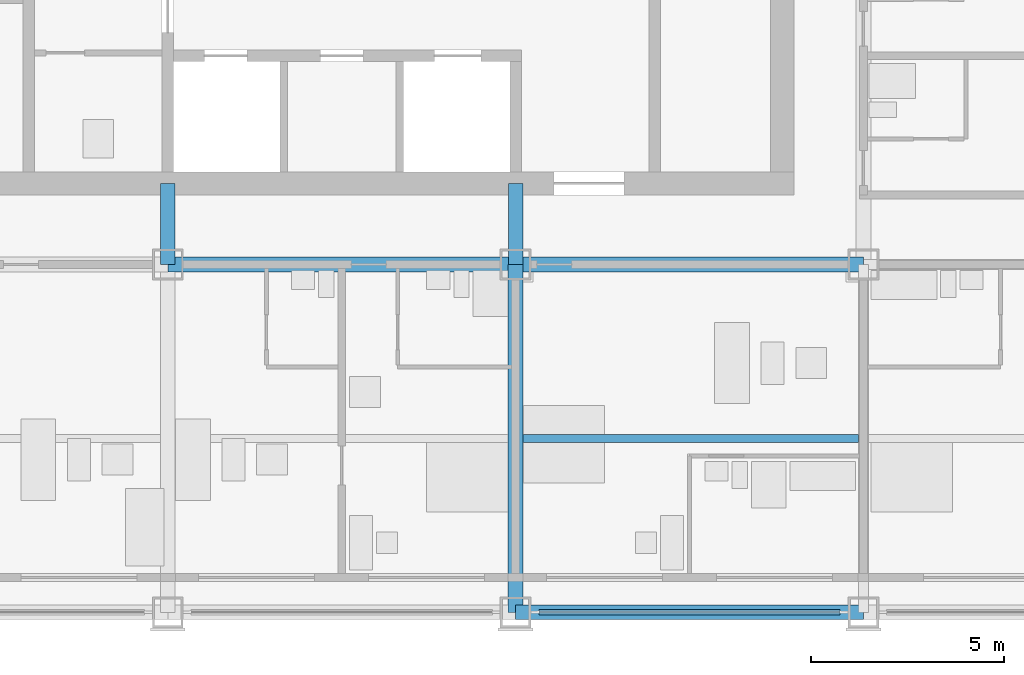
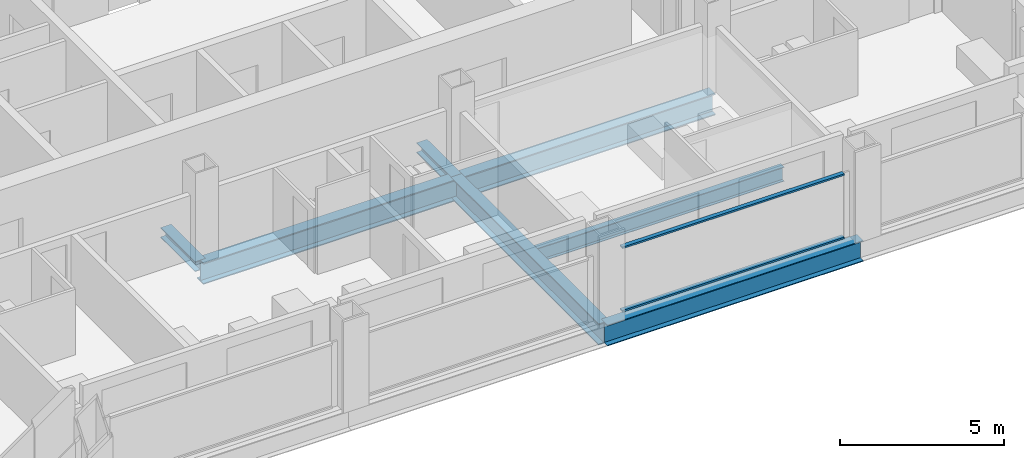
# One storey, part 3 of 13: 5 beams, 4 members, 1 element without a shape of its own.
"""IFC4 building model written with IfcOpenShell, lengths in metres."""

from ifc_helpers import new_model, si_unit, direction, frame, origin, origin_2d, place, context, subcontext, project, spatial, rectangle, i_section, extrude, material, material_profile, profile_set, type_object, element, aggregate, save


model = new_model("IFC4")

# Units and contexts
model_context = context("Model", 3, precision=1e-05, world=origin(), true_north=direction((0.0, 1.0)))
body_context = subcontext(model_context, "Body", "Model", "MODEL_VIEW")
ifc_project = project(units=[si_unit("LENGTHUNIT", "METRE"), si_unit("AREAUNIT", "SQUARE_METRE"), si_unit("VOLUMEUNIT", "CUBIC_METRE"), si_unit("PLANEANGLEUNIT", "RADIAN"), si_unit("MASSUNIT", "GRAM", prefix="KILO")], contexts=[model_context])

# Site, building, storey
site_placement = place(None, origin())
site = spatial("IfcSite", under=ifc_project, at=site_placement, CompositionType="ELEMENT")
building_placement = place(site_placement, origin())
building = spatial("IfcBuilding", under=site, at=building_placement, Name="Loomwork Tower", CompositionType="ELEMENT")
storey_placement = place(building_placement, frame((0.0, 0.0, 194.39990234375)))
storey = spatial("IfcBuildingStorey", under=building, at=storey_placement, Name="L53", CompositionType="ELEMENT", Elevation=194.39990234375)

# Beams
ifc_material_1 = material(Name="Steel ASTM A992", Category="steel")
ifc_material_profile_1 = material_profile(ifc_material_1, i_section(OverallWidth=0.383544921875, OverallDepth=0.794921875, WebThickness=0.02099609375, FlangeThickness=0.0380859375, at=origin_2d()), Name="W30x235")
ifc_profile_set_1 = profile_set([ifc_material_profile_1], Name="Steel ASTM A992")
beam_type_1 = type_object("IfcBeamType", Name="CORE FLANK GIRDER W30x235", PredefinedType="BEAM", material=ifc_profile_set_1)
for number, where, z_axis, x_axis, name in (
    (1, (18.0, 9.0, -0.597412109375), (1.0, 0.0, 0.0), (0.0, 1.0, 0.0), "Core Flank Girder E/4-E/5 L53"),
    (2, (27.0, 9.0, -0.597412109375), (1.0, 0.0, 0.0), (0.0, 1.0, 0.0), "Core Flank Girder E/5-E/6 L53"),
    (3, (27.0, 0.0, -0.597412109375), (0.0, 1.0, 0.0), (-1.0, 0.0, 0.0), "Core Flank Girder D/5-E/5 L53"),
):
    element("IfcBeam", number, at=place(storey_placement, frame(where, z_axis=z_axis, x_axis=x_axis)), inside=storey, type_object=beam_type_1, Name=name, PredefinedType="BEAM", context=body_context, shape_type="SweptSolid", body=[
        extrude(i_section(OverallWidth=0.383544921875, OverallDepth=0.794921875, WebThickness=0.02099609375, FlangeThickness=0.0380859375, at=origin_2d()), origin(), (0.0, 0.0, 1.0), 9.0),
    ])

# Members
ifc_material_2 = material(Name="Steel ASTM A992", Category="steel")
ifc_material_profile_2 = material_profile(ifc_material_2, i_section(OverallWidth=0.373291015625, OverallDepth=0.373291015625, WebThickness=0.016357421875, FlangeThickness=0.026123046875, at=origin_2d()), Name="W14x132")
ifc_profile_set_2 = profile_set([ifc_material_profile_2], Name="Steel ASTM A992")
member_type_1 = type_object("IfcMemberType", Name="CORE LINK STRUT W14x132", PredefinedType="STRUT", material=ifc_profile_set_2)
for number, where, z_axis, x_axis, name in (
    (4, (27.0, 9.0, -0.386474609375), (0.0, 1.0, 0.0), (-1.0, 0.0, 0.0), "Core link strut E/5-27.000,11.100 L53"),
    (5, (18.0, 9.0, -0.386474609375), (0.0, 1.0, 0.0), (-1.0, 0.0, 0.0), "Core link strut E/4-18.000,11.100 L53"),
):
    element("IfcMember", number, at=place(storey_placement, frame(where, z_axis=z_axis, x_axis=x_axis)), inside=storey, type_object=member_type_1, Name=name, PredefinedType="STRUT", context=body_context, shape_type="SweptSolid", body=[
        extrude(i_section(OverallWidth=0.373291015625, OverallDepth=0.373291015625, WebThickness=0.016357421875, FlangeThickness=0.026123046875, at=origin_2d()), origin(), (0.0, 0.0, 1.0), 2.10009765625),
    ])

# Beam
ifc_material_3 = material(Name="Steel ASTM A992", Category="steel")
ifc_material_profile_3 = material_profile(ifc_material_3, i_section(OverallWidth=0.2109375, OverallDepth=0.53857421875, WebThickness=0.011474609375, FlangeThickness=0.018798828125, at=origin_2d()), Name="W21x73")
ifc_profile_set_3 = profile_set([ifc_material_profile_3], Name="Steel ASTM A992")
beam_type_2 = type_object("IfcBeamType", Name="FLOOR JOIST W21x73", PredefinedType="JOIST", material=ifc_profile_set_3)
beam_1_placement = place(storey_placement, frame((27.19091796875, 4.5, -0.46923828125), z_axis=(1.0, 0.0, 0.0), x_axis=(0.0, 1.0, 0.0)))
element("IfcBeam", 6, at=beam_1_placement, inside=storey, type_object=beam_type_2, Name="Floor Joist 27.000,4.500-36.000,4.500 L53", PredefinedType="JOIST", context=body_context, shape_type="SweptSolid", body=[
    extrude(i_section(OverallWidth=0.2109375, OverallDepth=0.53857421875, WebThickness=0.011474609375, FlangeThickness=0.018798828125, at=origin_2d()), origin(), (0.0, 0.0, 1.0), 8.676025390625),
])

# Curtain wall, members
ifc_material_4 = material(Name="Aluminium curtain wall frame", Category="aluminium")
curtain_wall_type = type_object("IfcCurtainWallType", Name="Outer skin glazing hotel", PredefinedType="NOTDEFINED", material=ifc_material_4)
curtain_wall_placement = place(storey_placement, origin())
curtain_wall = element("IfcCurtainWall", 7, at=curtain_wall_placement, inside=storey, type_object=curtain_wall_type, Name="Outer skin glazing hotel cw/S-27", PredefinedType="NOTDEFINED")
ifc_material_5 = material(Name="Aluminium curtain wall frame", Category="aluminium")
ifc_material_profile_4 = material_profile(ifc_material_5, rectangle(XDim=0.14990234375, YDim=0.06494140625, at=origin_2d()), Name="AL 65x150")
ifc_profile_set_4 = profile_set([ifc_material_profile_4], Name="Aluminium curtain wall frame")
member_type_2 = type_object("IfcMemberType", Name="Outer skin glazing hotel transom", PredefinedType="USERDEFINED", material=ifc_profile_set_4)
member_1_placement = place(storey_placement, frame((27.60009765625, 0.0, 0.03271484375), z_axis=(1.0, 0.0, 0.0), x_axis=(0.0, 1.0, 0.0)))
member_1 = element("IfcMember", 8, at=member_1_placement, type_object=member_type_2, Name="CW1 transom 1.1", ObjectType="TRANSOM", PredefinedType="USERDEFINED", context=body_context, shape_type="SweptSolid", body=[
    extrude(rectangle(XDim=0.14990234375, YDim=0.06494140625, at=origin_2d()), origin(), (0.0, 0.0, 1.0), 7.7998046875),
])
member_2_placement = place(storey_placement, frame((27.60009765625, 0.0, 2.3876953125), z_axis=(1.0, 0.0, 0.0), x_axis=(0.0, 1.0, 0.0)))
member_2 = element("IfcMember", 9, at=member_2_placement, type_object=member_type_2, Name="CW1 transom 1.2", ObjectType="TRANSOM", PredefinedType="USERDEFINED", context=body_context, shape_type="SweptSolid", body=[
    extrude(rectangle(XDim=0.14990234375, YDim=0.06494140625, at=origin_2d()), origin(), (0.0, 0.0, 1.0), 7.7998046875),
])
aggregate(curtain_wall, [member_1, member_2])

# Beam
ifc_material_6 = material(Name="Steel ASTM A992", Category="steel")
ifc_material_profile_5 = material_profile(ifc_material_6, i_section(OverallWidth=0.381103515625, OverallDepth=0.77978515625, WebThickness=0.01806640625, FlangeThickness=0.0302734375, at=origin_2d()), Name="W30x191")
ifc_profile_set_5 = profile_set([ifc_material_profile_5], Name="Steel ASTM A992")
beam_type_3 = type_object("IfcBeamType", Name="SPANDREL GIRDER W30x191", PredefinedType="SPANDREL", material=ifc_profile_set_5)
beam_2_placement = place(storey_placement, frame((27.0, 0.0, -0.58984375), z_axis=(1.0, 0.0, 0.0), x_axis=(0.0, 1.0, 0.0)))
element("IfcBeam", 10, at=beam_2_placement, inside=storey, type_object=beam_type_3, Name="Spandrel Girder D/5-D/6 L53", PredefinedType="SPANDREL", context=body_context, shape_type="SweptSolid", body=[
    extrude(i_section(OverallWidth=0.381103515625, OverallDepth=0.77978515625, WebThickness=0.01806640625, FlangeThickness=0.0302734375, at=origin_2d()), origin(), (0.0, 0.0, 1.0), 9.0),
])

save(model, "model.ifc")
